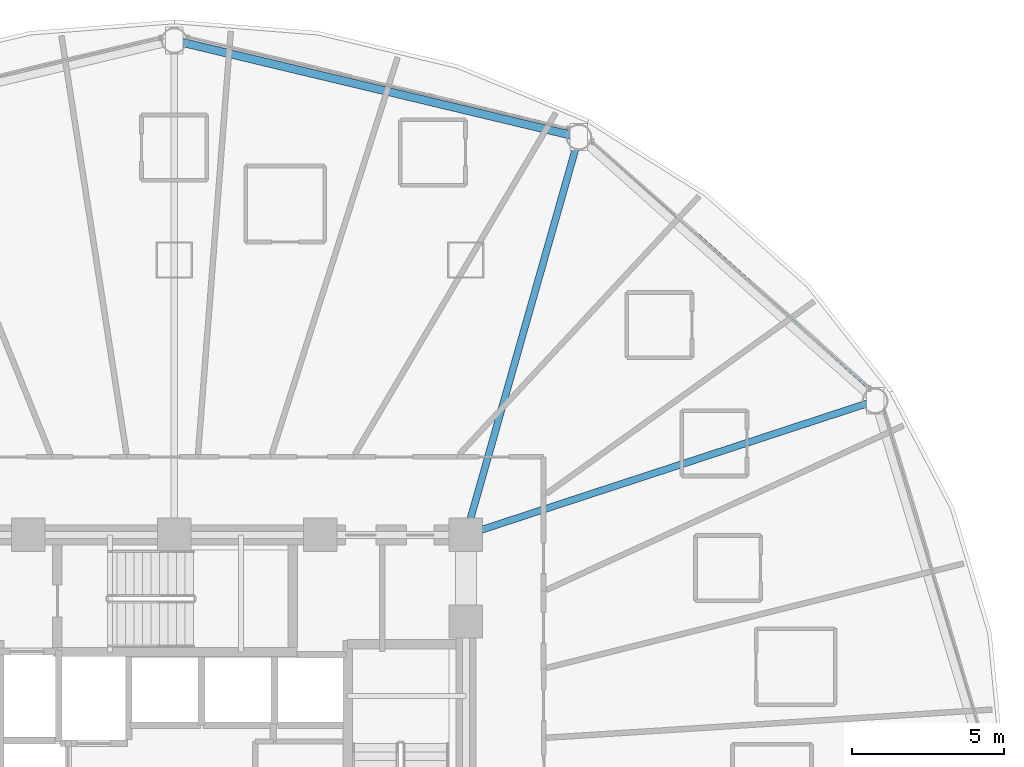
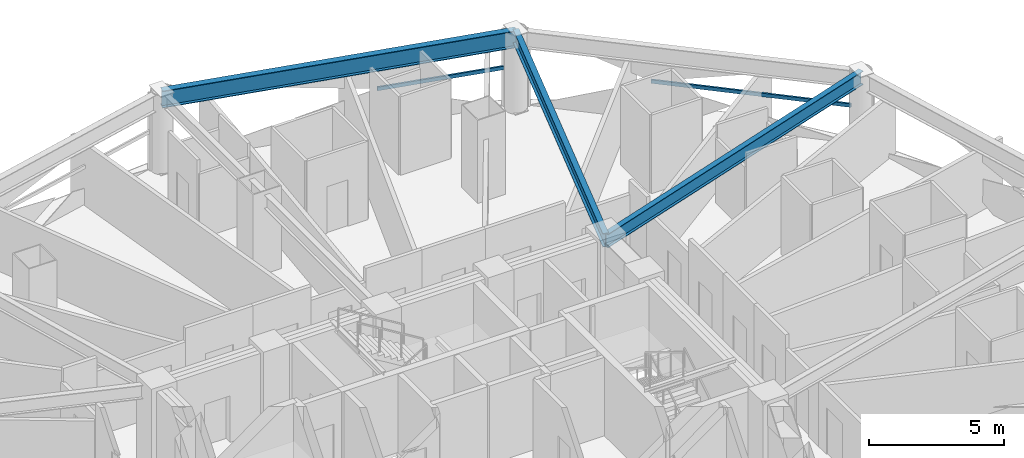
# One storey, part 20 of 32: 3 beams, 2 members, 2 elements without a shape of their own.
"""IFC4 building model written with IfcOpenShell, lengths in metres."""

from ifc_helpers import new_model, si_unit, direction, frame, origin, origin_2d, place, context, subcontext, project, spatial, hollow_rectangle, i_section, extrude, material, layer, layer_set, material_profile, profile_set, type_object, element, aggregate, save


model = new_model("IFC4")

# Units and contexts
model_context = context("Model", 3, precision=1e-05, world=origin(), true_north=direction((0.0, 1.0)))
body_context = subcontext(model_context, "Body", "Model", "MODEL_VIEW")
ifc_project = project(units=[si_unit("LENGTHUNIT", "METRE"), si_unit("AREAUNIT", "SQUARE_METRE"), si_unit("VOLUMEUNIT", "CUBIC_METRE"), si_unit("PLANEANGLEUNIT", "RADIAN"), si_unit("MASSUNIT", "GRAM", prefix="KILO")], contexts=[model_context])

# Site, building, storey
site_placement = place(None, origin())
site = spatial("IfcSite", under=ifc_project, at=site_placement, CompositionType="ELEMENT")
building_placement = place(site_placement, origin())
building = spatial("IfcBuilding", under=site, at=building_placement, Name="Vantalir Tower", CompositionType="ELEMENT")
storey_placement = place(building_placement, frame((0.0, 0.0, 45.75)))
storey = spatial("IfcBuildingStorey", under=building, at=storey_placement, Name="L10", CompositionType="ELEMENT", Elevation=45.75)

# Beams
ifc_material_1 = material(Name="Steel S355", Category="steel")
ifc_material_profile_1 = material_profile(ifc_material_1, i_section(OverallWidth=0.22998046875, OverallDepth=0.616943359375, WebThickness=0.01318359375, FlangeThickness=0.022216796875, at=origin_2d()), Name="Steel S355")
ifc_profile_set_1 = profile_set([ifc_material_profile_1], Name="Steel S355")
beam_type_1 = type_object("IfcBeamType", Name="BM-RB-610x229", PredefinedType="BEAM", material=ifc_profile_set_1)
beam_1_placement = place(storey_placement, frame((54.570068359375, 36.863037109375, 3.261962890625), z_axis=(-0.950298396934, -0.311340580048, 0.0), x_axis=(0.311340580048, -0.950298396934, 0.0)))
element("IfcBeam", 1, at=beam_1_placement, inside=storey, type_object=beam_type_1, Name="L10 Radial Floor Beam 02", PredefinedType="BEAM", context=body_context, shape_type="SweptSolid", body=[
    extrude(i_section(OverallWidth=0.22998046875, OverallDepth=0.616943359375, WebThickness=0.01318359375, FlangeThickness=0.022216796875, at=origin_2d()), origin(), (0.0, 0.0, 1.0), 14.174560546875),
])
beam_2_placement = place(storey_placement, frame((44.820068359375, 45.547119140625, 3.261962890625), z_axis=(-0.273221656267, -0.961951104031, 0.0), x_axis=(0.961951104031, -0.273221656267, 0.0)))
element("IfcBeam", 2, at=beam_2_placement, inside=storey, type_object=beam_type_1, Name="L10 Radial Floor Beam 03", PredefinedType="BEAM", context=body_context, shape_type="SweptSolid", body=[
    extrude(i_section(OverallWidth=0.22998046875, OverallDepth=0.616943359375, WebThickness=0.01318359375, FlangeThickness=0.022216796875, at=origin_2d()), origin(), (0.0, 0.0, 1.0), 13.615234375),
])
ifc_material_2 = material(Name="Steel S460", Category="steel")
ifc_material_profile_2 = material_profile(ifc_material_2, i_section(OverallWidth=0.26806640625, OverallDepth=0.77001953125, WebThickness=0.015625, FlangeThickness=0.025390625, at=origin_2d()), Name="Steel S460")
ifc_profile_set_2 = profile_set([ifc_material_profile_2], Name="Steel S460")
beam_type_2 = type_object("IfcBeamType", Name="BM-RG-762x267", PredefinedType="USERDEFINED", material=ifc_profile_set_2)
beam_3_placement = place(storey_placement, frame((44.820068359375, 45.547119140625, 3.18505859375), z_axis=(-0.972682503887, 0.232139498215, 0.0), x_axis=(-0.232139498215, -0.972682503887, 0.0)))
element("IfcBeam", 3, at=beam_3_placement, inside=storey, type_object=beam_type_2, Name="L10 Circumferential Ring Girder 03", ObjectType="GIRDER", PredefinedType="USERDEFINED", context=body_context, shape_type="SweptSolid", body=[
    extrude(i_section(OverallWidth=0.26806640625, OverallDepth=0.77001953125, WebThickness=0.015625, FlangeThickness=0.025390625, at=origin_2d()), origin(), (0.0, 0.0, 1.0), 13.694091796875),
])

# Curtain wall, member
ifc_material_3 = material(Name="Champagne-silver PVDF aluminium and double-silver Low-E glass", Category="aluminium")
ifc_layer = layer(ifc_material_3, 0.18994140625)
ifc_layer_set = layer_set([ifc_layer], Name="Champagne-silver PVDF aluminium and double-silver Low-E glass")
curtain_wall_type = type_object("IfcCurtainWallType", Name="CW-DIAMOND-Z1", PredefinedType="USERDEFINED", material=ifc_layer_set)
curtain_wall_1_placement = place(storey_placement, origin())
curtain_wall_1 = element("IfcCurtainWall", 4, at=curtain_wall_1_placement, inside=storey, type_object=curtain_wall_type, Name="L10 Quilted Pyramid-Diamond Curtain Wall S02", ObjectType="UNITISED CURTAIN WALL", PredefinedType="USERDEFINED")
ifc_material_4 = material(Name="Champagne-silver PVDF aluminium 6063-T6", Category="aluminium")
ifc_material_profile_3 = material_profile(ifc_material_4, hollow_rectangle(XDim=0.074951171875, YDim=0.159912109375, WallThickness=0.00390625, at=origin_2d()), Name="Champagne-silver PVDF aluminium 6063-T6")
ifc_profile_set_3 = profile_set([ifc_material_profile_3], Name="Champagne-silver PVDF aluminium 6063-T6")
member_type = type_object("IfcMemberType", Name="CWT-160x75", PredefinedType="USERDEFINED", material=ifc_profile_set_3)
member_1_placement = place(storey_placement, frame((54.384033203125, 37.27099609375, 1.784912109375), z_axis=(-0.744375429175, 0.667761349915, 0.0), x_axis=(-0.667761349915, -0.744375429175, 0.0)))
member_1 = element("IfcMember", 5, at=member_1_placement, type_object=member_type, Name="CW-L10-S02 Pyramid Fold Ridge Transom", ObjectType="TRANSOM", PredefinedType="USERDEFINED", context=body_context, shape_type="SweptSolid", body=[
    extrude(hollow_rectangle(XDim=0.074951171875, YDim=0.159912109375, WallThickness=0.00390625, at=origin_2d()), origin(), (0.0, 0.0, 1.0), 7.571533203125),
])
aggregate(curtain_wall_1, [member_1])

curtain_wall_2_placement = place(storey_placement, origin())
curtain_wall_2 = element("IfcCurtainWall", 6, at=curtain_wall_2_placement, inside=storey, type_object=curtain_wall_type, Name="L10 Quilted Pyramid-Diamond Curtain Wall S03", ObjectType="UNITISED CURTAIN WALL", PredefinedType="USERDEFINED")
member_2_placement = place(storey_placement, frame((44.4580078125, 45.821044921875, 1.784912109375), z_axis=(-0.971500957394, 0.237035629774, 0.0), x_axis=(-0.237035629774, -0.971500957394, 0.0)))
member_2 = element("IfcMember", 7, at=member_2_placement, type_object=member_type, Name="CW-L10-S03 Pyramid Fold Ridge Transom", ObjectType="TRANSOM", PredefinedType="USERDEFINED", context=body_context, shape_type="SweptSolid", body=[
    extrude(hollow_rectangle(XDim=0.074951171875, YDim=0.159912109375, WallThickness=0.00390625, at=origin_2d()), origin(), (0.0, 0.0, 1.0), 4.881103515625),
])
aggregate(curtain_wall_2, [member_2])

save(model, "model.ifc")
